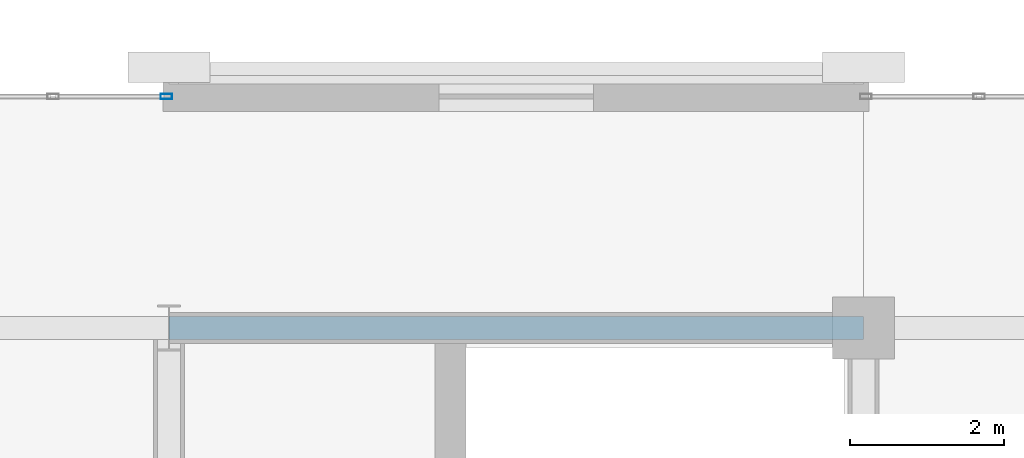
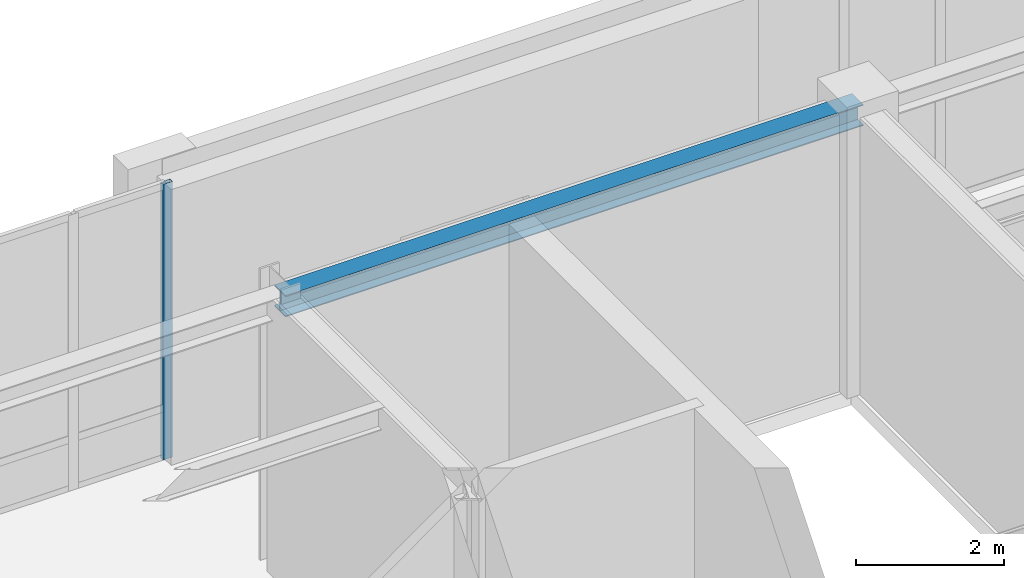
# One storey, part 34 of 92: 1 beam, 1 member, 1 element without a shape of its own.
"""IFC4 building model written with IfcOpenShell, lengths in metres."""

from ifc_helpers import new_model, si_unit, direction, frame, origin, origin_2d, place, context, subcontext, project, spatial, hollow_rectangle, i_section, extrude, material, material_profile, profile_set, type_object, element, aggregate, save


model = new_model("IFC4")

# Units and contexts
model_context = context("Model", 3, precision=1e-05, world=origin(), true_north=direction((0.0, 1.0)))
body_context = subcontext(model_context, "Body", "Model", "MODEL_VIEW")
ifc_project = project(units=[si_unit("LENGTHUNIT", "METRE"), si_unit("AREAUNIT", "SQUARE_METRE"), si_unit("VOLUMEUNIT", "CUBIC_METRE"), si_unit("PLANEANGLEUNIT", "RADIAN"), si_unit("MASSUNIT", "GRAM", prefix="KILO")], contexts=[model_context])

# Site, building, storey
site_placement = place(None, origin())
site = spatial("IfcSite", under=ifc_project, at=site_placement, CompositionType="ELEMENT")
building_placement = place(site_placement, origin())
building = spatial("IfcBuilding", under=site, at=building_placement, Name="Lykobir Media Centre", CompositionType="ELEMENT")
storey_placement = place(building_placement, frame((0.0, 0.0, 5.39990234375)))
storey = spatial("IfcBuildingStorey", under=building, at=storey_placement, Name="L01", CompositionType="ELEMENT", Elevation=5.39990234375)

# Curtain wall, member
ifc_material_1 = material(Name="Anodized Aluminium AW-6060", Category="aluminium")
curtain_wall_type = type_object("IfcCurtainWallType", Name="CW-COURT-A", PredefinedType="NOTDEFINED", material=ifc_material_1)
curtain_wall_placement = place(storey_placement, origin())
curtain_wall = element("IfcCurtainWall", 1, at=curtain_wall_placement, inside=storey, type_object=curtain_wall_type, Name="Curtain wall CW2-L01-0047", PredefinedType="NOTDEFINED")
ifc_material_profile_1 = material_profile(ifc_material_1, hollow_rectangle(XDim=0.06494140625, YDim=0.14990234375, WallThickness=0.00341796875, at=origin_2d()), Name="ALU MULLION 65x150")
ifc_profile_set_1 = profile_set([ifc_material_profile_1], Name="Anodized Aluminium AW-6060")
member_type = type_object("IfcMemberType", Name="CWM-150", PredefinedType="MULLION", material=ifc_profile_set_1)
member_placement = place(storey_placement, frame((71.967529296875, 21.0, 0.0), z_axis=(0.0, 0.0, 1.0), x_axis=(0.0, 1.0, 0.0)))
member = element("IfcMember", 2, at=member_placement, type_object=member_type, Name="CW2-L01-0047 mullion 7", PredefinedType="MULLION", context=body_context, shape_type="SweptSolid", body=[
    extrude(hollow_rectangle(XDim=0.06494140625, YDim=0.14990234375, WallThickness=0.00341796875, at=origin_2d()), origin(), (0.0, 0.0, 1.0), 4.5400390625),
])
aggregate(curtain_wall, [member])

# Beam
ifc_material_2 = material(Name="Steel S355", Category="steel")
ifc_material_profile_2 = material_profile(ifc_material_2, i_section(OverallWidth=0.300048828125, OverallDepth=0.35009765625, WebThickness=0.010009765625, FlangeThickness=0.017578125, at=origin_2d()), Name="HEA 360")
ifc_profile_set_2 = profile_set([ifc_material_profile_2], Name="Steel S355")
beam_type = type_object("IfcBeamType", Name="SP-HEA360", PredefinedType="SPANDREL", material=ifc_profile_set_2)
beam_placement = place(storey_placement, frame((72.0, 18.0, 4.385009765625), z_axis=(1.0, 0.0, 0.0), x_axis=(0.0, 1.0, 0.0)))
element("IfcBeam", 3, at=beam_placement, inside=storey, type_object=beam_type, Name="Beam BM-L01-0720-0180-0810-0180-978", PredefinedType="SPANDREL", context=body_context, shape_type="SweptSolid", body=[
    extrude(i_section(OverallWidth=0.300048828125, OverallDepth=0.35009765625, WebThickness=0.010009765625, FlangeThickness=0.017578125, at=origin_2d()), origin(), (0.0, 0.0, 1.0), 9.0),
])

save(model, "model.ifc")
